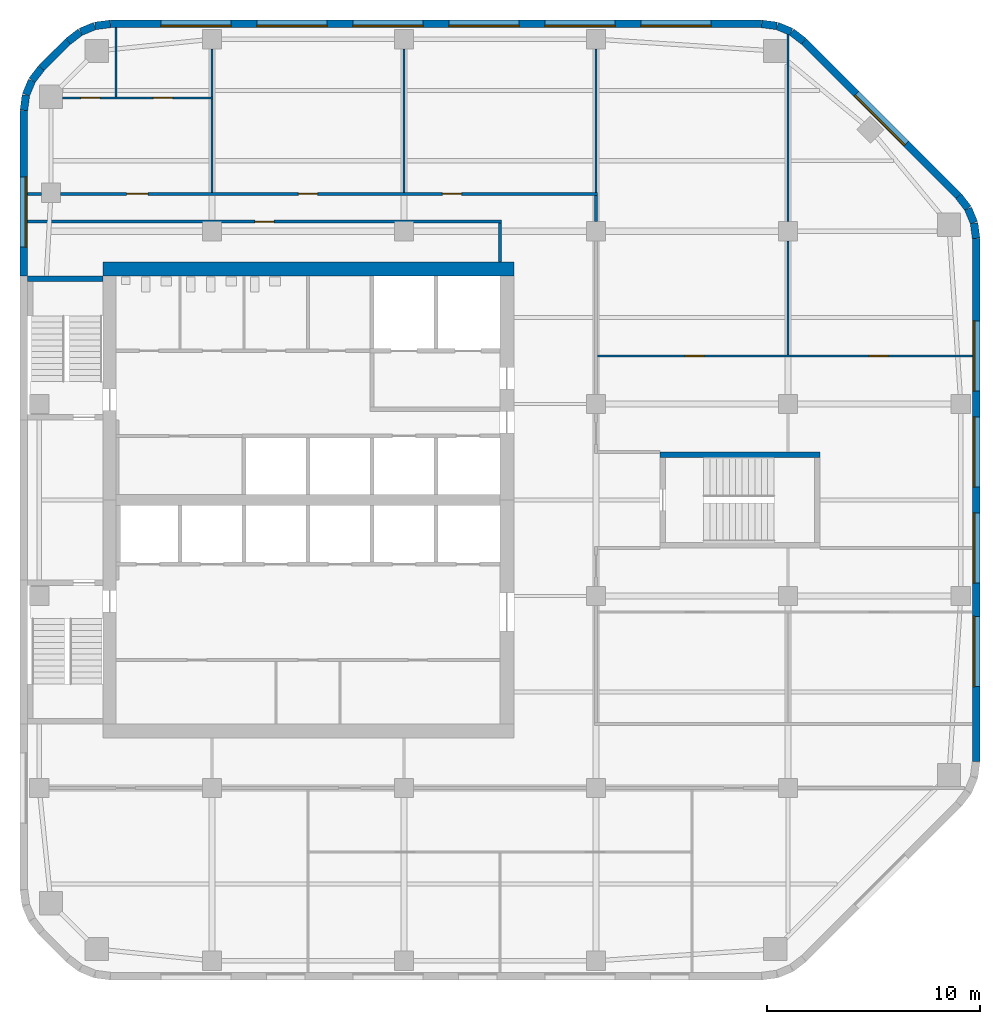
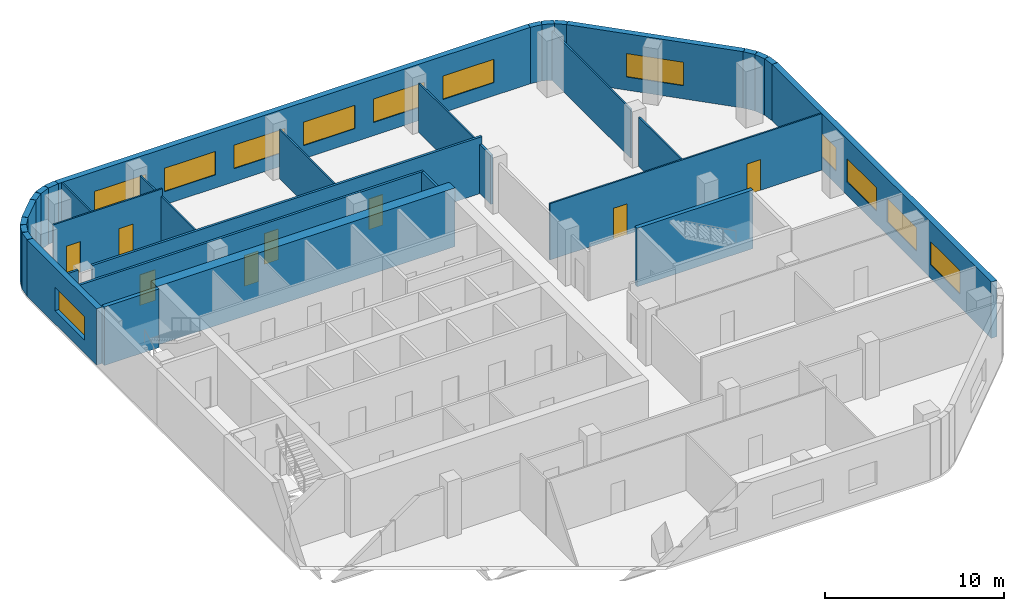
# One storey, part 5 of 8: 34 walls, 12 windows, 8 doors, 20 openings.
"""IFC4 building model written with IfcOpenShell, lengths in metres."""

import ifcopenshell
import ifcopenshell.guid

model = None  # the IFC model being written
_history = None  # IfcOwnerHistory: only IFC2X3 demands one
_inside = {}  # id of a spatial element -> (the spatial element, [elements in it])
_under = {}  # id of a project, library or spatial element -> (it, [spatial elements below it])
_declared = {}  # id of a project -> (the project, [libraries it declares])
_typed = {}  # id of a type object -> (the type object, [elements of that type])
_made_of = {}  # id of a material, layer set ... -> (it, [elements and type objects made of it])


def new_model(schema):
    """Start an empty IFC model of exactly this schema.

    Asked for "IFC4X3", IfcOpenShell would pick the latest addendum, in which some entities
    have other attributes; the version numbers below select the first issue.
    IFC2X3 requires an IfcOwnerHistory on every rooted entity: one is made here for all.
    """
    global model, _history
    if schema == "IFC4X3":
        model = ifcopenshell.file(schema_version=(4, 3, 0, 0))
    else:
        model = ifcopenshell.file(schema=schema)
    _inside.clear()
    _under.clear()
    _declared.clear()
    _typed.clear()
    _made_of.clear()
    _history = None
    if model.schema == "IFC2X3":
        org = make("IfcOrganization", Name="unknown")
        user = make(
            "IfcPersonAndOrganization",
            ThePerson=make("IfcPerson", FamilyName="unknown"),
            TheOrganization=org,
        )
        app = make(
            "IfcApplication",
            ApplicationDeveloper=org,
            Version="unknown",
            ApplicationFullName="unknown",
            ApplicationIdentifier="unknown",
        )
        _history = make(
            "IfcOwnerHistory",
            OwningUser=user,
            OwningApplication=app,
            ChangeAction="ADDED",
            CreationDate=0,
        )
    return model


def make(cls, **values):
    """One entity of the class cls with the attributes given. An attribute that is None is left unset."""
    return model.create_entity(
        cls, **{name: value for name, value in values.items() if value is not None}
    )


def rooted(cls, **values):
    """An entity with a GlobalId (a new one), such as an element, a storey or a relation."""
    return make(cls, GlobalId=ifcopenshell.guid.new(), OwnerHistory=_history, **values)


def si_unit(unit_type, name, prefix=None):
    """IfcSIUnit, for example si_unit("LENGTHUNIT", "METRE", prefix="MILLI")."""
    return make("IfcSIUnit", UnitType=unit_type, Prefix=prefix, Name=name)


def assignment(units):
    """IfcUnitAssignment: the units of a project."""
    return None if units is None else make("IfcUnitAssignment", Units=units)


def point(xyz):
    """IfcCartesianPoint."""
    return None if xyz is None else make("IfcCartesianPoint", Coordinates=xyz)


def direction(xyz):
    """IfcDirection."""
    return None if xyz is None else make("IfcDirection", DirectionRatios=xyz)


def frame(location, z_axis=None, x_axis=None):
    """IfcAxis2Placement3D, a coordinate frame: its origin and axes. An axis left out is left unset."""
    return make(
        "IfcAxis2Placement3D",
        Location=point(location),
        Axis=direction(z_axis),
        RefDirection=direction(x_axis),
    )


def frame_2d(location, x_axis=None):
    """IfcAxis2Placement2D, a coordinate frame in the plane: its origin and x axis."""
    return make(
        "IfcAxis2Placement2D", Location=point(location), RefDirection=direction(x_axis)
    )


def origin():
    """The frame at (0, 0, 0) with its axes left unset."""
    return frame((0.0, 0.0, 0.0))


def place(relative_to, where):
    """IfcLocalPlacement: puts the frame where relative to a parent placement (None: the world)."""
    return make(
        "IfcLocalPlacement", PlacementRelTo=relative_to, RelativePlacement=where
    )


def context(
    kind, dimensions, precision=None, world=None, true_north=None, identifier=None
):
    """IfcGeometricRepresentationContext, for example the 3D "Model" context."""
    return make(
        "IfcGeometricRepresentationContext",
        ContextIdentifier=identifier,
        ContextType=kind,
        CoordinateSpaceDimension=dimensions,
        Precision=precision,
        WorldCoordinateSystem=world,
        TrueNorth=true_north,
    )


def subcontext(parent, identifier, kind, view, scale=None):
    """IfcGeometricRepresentationSubContext, for example "Body" below "Model"."""
    return make(
        "IfcGeometricRepresentationSubContext",
        ContextIdentifier=identifier,
        ContextType=kind,
        ParentContext=parent,
        TargetScale=scale,
        TargetView=view,
    )


def project(units=None, contexts=None):
    """IfcProject with its units and contexts."""
    return rooted(
        "IfcProject",
        Name="project",
        RepresentationContexts=contexts,
        UnitsInContext=assignment(units),
    )


def spatial(cls, under=None, at=None, **own):
    """A site, building, storey or space (cls), placed at a placement, below another one or the project."""
    s = rooted(cls, ObjectPlacement=at, **own)
    if under is not None:
        _under.setdefault(under.id(), (under, []))[1].append(s)
    return s


def profile(cls, at=None, kind="AREA", **sizes):
    """A parametric profile (cls). Its sizes go by their IFC names, for example OverallWidth=200.0."""
    return make(cls, ProfileType=kind, Position=at, **sizes)


def rectangle(**sizes):
    """IfcRectangleProfileDef."""
    return profile("IfcRectangleProfileDef", **sizes)


def extrude(swept, where, along, depth):
    """IfcExtrudedAreaSolid: the profile swept, set in the frame where, extruded along a direction by depth."""
    return make(
        "IfcExtrudedAreaSolid",
        SweptArea=swept,
        Position=where,
        ExtrudedDirection=direction(along),
        Depth=depth,
    )


def shape(context_of_items, identifier, shape_type, items):
    """IfcShapeRepresentation: the items that make up one representation, for example the "Body"."""
    return make(
        "IfcShapeRepresentation",
        ContextOfItems=context_of_items,
        RepresentationIdentifier=identifier,
        RepresentationType=shape_type,
        Items=items,
    )


def material(Name=None, Category=None):
    """IfcMaterial."""
    return make("IfcMaterial", Name=Name, Category=Category)


def layer(
    of_material, thickness, ventilated=None, Name=None, Category=None, Priority=None
):
    """IfcMaterialLayer: one layer of a wall or slab, of a material (None: an air gap)."""
    return make(
        "IfcMaterialLayer",
        Material=of_material,
        LayerThickness=thickness,
        IsVentilated=ventilated,
        Name=Name,
        Category=Category,
        Priority=Priority,
    )


def layer_set(layers, Name=None):
    """IfcMaterialLayerSet."""
    return make("IfcMaterialLayerSet", MaterialLayers=layers, LayerSetName=Name)


def made_of(thing, what):
    """Note that an element or type object is made of a material, layer set ...; save() writes the relation."""
    if what is not None:
        _made_of.setdefault(what.id(), (what, []))[1].append(thing)
    return thing


def type_object(cls, material=None, **own):
    """A type object (cls), such as IfcWallType, which elements share."""
    return made_of(rooted(cls, **own), material)


def element(
    cls,
    number,
    at=None,
    inside=None,
    cuts=None,
    type_object=None,
    material=None,
    context=None,
    identifier="Body",
    shape_type=None,
    held_by="IfcProductDefinitionShape",
    body=None,
    shapes=None,
    **own,
):
    """One element of the class cls, such as IfcWall. Its Tag is "e" and its number.

    at: its placement. inside: the storey or other place that contains it. cuts: it is an
    opening in that element (IfcRelVoidsElement). A single representation is given by context,
    identifier, shape_type and body (its items); several are given by shapes. held_by: the class
    of the entity that holds the representations. save() writes the other relations.
    """
    e = rooted(cls, Tag="e%d" % number, ObjectPlacement=at, **own)
    if body is not None:
        shapes = [shape(context, identifier, shape_type, body)]
    if shapes is not None:
        e.Representation = make(held_by, Representations=shapes)
    if inside is not None:
        _inside.setdefault(inside.id(), (inside, []))[1].append(e)
    if cuts is not None:
        rooted(
            "IfcRelVoidsElement", RelatingBuildingElement=cuts, RelatedOpeningElement=e
        )
    if type_object is not None:
        _typed.setdefault(type_object.id(), (type_object, []))[1].append(e)
    return made_of(e, material)


def fill(opening, filler):
    """IfcRelFillsElement: the door or window that sits in an opening."""
    return rooted(
        "IfcRelFillsElement",
        RelatingOpeningElement=opening,
        RelatedBuildingElement=filler,
    )


def aggregate(whole, parts):
    """IfcRelAggregates: a whole, such as a stair, and the parts it consists of."""
    return rooted("IfcRelAggregates", RelatingObject=whole, RelatedObjects=parts)


def save(model, path):
    """Write the relations noted so far, then the file.

    IfcRelAggregates (storeys below a building ...), IfcRelContainedInSpatialStructure (elements
    in a storey), IfcRelDefinesByType, IfcRelAssociatesMaterial and IfcRelDeclares: one each for
    every whole, place, type object, material and project.
    """
    for whole, parts in _under.values():
        aggregate(whole, parts)
    for where, things in _inside.values():
        rooted(
            "IfcRelContainedInSpatialStructure",
            RelatedElements=things,
            RelatingStructure=where,
        )
    for kind, things in _typed.values():
        rooted("IfcRelDefinesByType", RelatedObjects=things, RelatingType=kind)
    for what, things in _made_of.values():
        rooted("IfcRelAssociatesMaterial", RelatedObjects=things, RelatingMaterial=what)
    for by, libraries in _declared.values():
        rooted("IfcRelDeclares", RelatingContext=by, RelatedDefinitions=libraries)
    model.write(path)


model = new_model("IFC4")

# Units and contexts
model_context = context("Model", 3, precision=1e-05, world=origin(), true_north=direction((0.0, 1.0)))
body_context = subcontext(model_context, "Body", "Model", "MODEL_VIEW")
ifc_project = project(units=[si_unit("LENGTHUNIT", "METRE"), si_unit("AREAUNIT", "SQUARE_METRE"), si_unit("VOLUMEUNIT", "CUBIC_METRE"), si_unit("PLANEANGLEUNIT", "RADIAN"), si_unit("MASSUNIT", "GRAM", prefix="KILO")], contexts=[model_context])

# Site, building, storey
site_placement = place(None, origin())
site = spatial("IfcSite", under=ifc_project, at=site_placement, CompositionType="ELEMENT")
building_placement = place(site_placement, origin())
building = spatial("IfcBuilding", under=site, at=building_placement, Name="Cinnabar Reach Civic Tower", CompositionType="ELEMENT")
storey_placement = place(building_placement, frame((0.0, 0.0, 165.0)))
storey = spatial("IfcBuildingStorey", under=building, at=storey_placement, Name="L39", CompositionType="ELEMENT", Elevation=165.0)

# Walls
ifc_material_1 = material(Name="Facing brick with insulated backing", Category="masonry")
ifc_layer_1 = layer(ifc_material_1, 0.36)
ifc_layer_set_1 = layer_set([ifc_layer_1], Name="Brick corner wall")
wall_type_1 = type_object("IfcWallType", Name="Brick corner wall", PredefinedType="STANDARD", material=ifc_layer_set_1)
for number, where, z_axis, x_axis, name in (
    (1, (44.817, 43.7686, 0.0), (0.0, 0.0, 1.0), (-0.13055608231, 0.99144092581, 0.0), "Brick corner wall"),
    (2, (44.7181, 44.4973, 0.0), (0.0, 0.0, 1.0), (-0.382702709855, 0.923871547278, 0.0), "Brick corner wall"),
):
    element("IfcWall", number, at=place(storey_placement, frame(where, z_axis=z_axis, x_axis=x_axis)), inside=storey, type_object=wall_type_1, Name=name, PredefinedType="STANDARD", context=body_context, shape_type="SweptSolid", body=[
        extrude(rectangle(XDim=0.7131, YDim=0.36, at=frame_2d((0.3565, 0.0))), origin(), (0.0, 0.0, 1.0), 3.85),
    ])
for number, where, z_axis, x_axis, name in (
    (3, (44.434, 45.1755, 0.0), (0.0, 0.0, 1.0), (-0.608802368033, 0.793321924995, 0.0), "Brick corner wall"),
    (4, (36.7413, 52.9998, 0.0), (0.0, 0.0, 1.0), (-0.793321924995, 0.608802368033, 0.0), "Brick corner wall"),
):
    element("IfcWall", number, at=place(storey_placement, frame(where, z_axis=z_axis, x_axis=x_axis)), inside=storey, type_object=wall_type_1, Name=name, PredefinedType="STANDARD", context=body_context, shape_type="SweptSolid", body=[
        extrude(rectangle(XDim=0.7132, YDim=0.36, at=frame_2d((0.3566, 0.0))), origin(), (0.0, 0.0, 1.0), 3.85),
    ])
for number, where, z_axis, x_axis, name in (
    (5, (36.1561, 53.4452, 0.0), (0.0, 0.0, 1.0), (-0.923871547278, 0.382702709855, 0.0), "Brick corner wall"),
    (6, (35.4756, 53.7239, 0.0), (0.0, 0.0, 1.0), (-0.99144092581, 0.13055608231, 0.0), "Brick corner wall"),
    (7, (4.2314, 53.817, 0.0), (0.0, 0.0, 1.0), (-0.99144092581, -0.13055608231, 0.0), "Brick corner wall"),
    (8, (3.5027, 53.7181, 0.0), (0.0, 0.0, 1.0), (-0.923871547278, -0.382702709855, 0.0), "Brick corner wall"),
):
    element("IfcWall", number, at=place(storey_placement, frame(where, z_axis=z_axis, x_axis=x_axis)), inside=storey, type_object=wall_type_1, Name=name, PredefinedType="STANDARD", context=body_context, shape_type="SweptSolid", body=[
        extrude(rectangle(XDim=0.7131, YDim=0.36, at=frame_2d((0.3565, 0.0))), origin(), (0.0, 0.0, 1.0), 3.85),
    ])
for number, where, z_axis, x_axis, name in (
    (9, (2.8245, 53.434, 0.0), (0.0, 0.0, 1.0), (-0.793321924995, -0.608802368033, 0.0), "Brick corner wall"),
    (10, (1.0002, 51.7413, 0.0), (0.0, 0.0, 1.0), (-0.608802368033, -0.793321924995, 0.0), "Brick corner wall"),
):
    element("IfcWall", number, at=place(storey_placement, frame(where, z_axis=z_axis, x_axis=x_axis)), inside=storey, type_object=wall_type_1, Name=name, PredefinedType="STANDARD", context=body_context, shape_type="SweptSolid", body=[
        extrude(rectangle(XDim=0.7132, YDim=0.36, at=frame_2d((0.3566, 0.0))), origin(), (0.0, 0.0, 1.0), 3.85),
    ])
for number, where, z_axis, x_axis, name in (
    (11, (0.5548, 51.1561, 0.0), (0.0, 0.0, 1.0), (-0.382702709855, -0.923871547278, 0.0), "Brick corner wall"),
    (12, (0.2761, 50.4756, 0.0), (0.0, 0.0, 1.0), (-0.13055608231, -0.99144092581, 0.0), "Brick corner wall"),
):
    element("IfcWall", number, at=place(storey_placement, frame(where, z_axis=z_axis, x_axis=x_axis)), inside=storey, type_object=wall_type_1, Name=name, PredefinedType="STANDARD", context=body_context, shape_type="SweptSolid", body=[
        extrude(rectangle(XDim=0.7131, YDim=0.36, at=frame_2d((0.3565, 0.0))), origin(), (0.0, 0.0, 1.0), 3.85),
    ])

# Wall, openings, windows
ifc_layer_2 = layer(ifc_material_1, 0.36)
ifc_layer_set_2 = layer_set([ifc_layer_2], Name="Brick pier and spandrel wall")
wall_type_2 = type_object("IfcWallType", Name="Brick pier and spandrel wall", PredefinedType="STANDARD", material=ifc_layer_set_2)
wall_1_placement = place(storey_placement, frame((44.82, 19.2426, 0.0), z_axis=(0.0, 0.0, 1.0), x_axis=(0.0, 1.0, 0.0)))
wall_1 = element("IfcWall", 13, at=wall_1_placement, inside=storey, type_object=wall_type_2, Name="Brick facade wall", PredefinedType="STANDARD", context=body_context, shape_type="SweptSolid", body=[
    extrude(rectangle(XDim=24.5148, YDim=0.36, at=frame_2d((12.2574, 0.0))), origin(), (0.0, 0.0, 1.0), 3.85),
])
opening_1_placement = place(wall_1_placement, frame((3.5074, 0.0, 0.9)))
opening_1 = element("IfcOpeningElement", 14, at=opening_1_placement, cuts=wall_1, Name="Opening W1808", PredefinedType="OPENING", context=body_context, shape_type="SweptSolid", body=[
    extrude(rectangle(XDim=3.3, YDim=1.6, at=frame_2d((1.65, 0.8))), frame((0.0, 0.19, 0.0), z_axis=(0.0, -1.0, 0.0), x_axis=(1.0, 0.0, 0.0)), (0.0, 0.0, 1.0), 0.38),
])
opening_2_placement = place(wall_1_placement, frame((8.3574, 0.0, 0.9)))
opening_2 = element("IfcOpeningElement", 15, at=opening_2_placement, cuts=wall_1, Name="Opening W1809", PredefinedType="OPENING", context=body_context, shape_type="SweptSolid", body=[
    extrude(rectangle(XDim=3.3, YDim=1.6, at=frame_2d((1.65, 0.8))), frame((0.0, 0.19, 0.0), z_axis=(0.0, -1.0, 0.0), x_axis=(1.0, 0.0, 0.0)), (0.0, 0.0, 1.0), 0.38),
])
opening_3_placement = place(wall_1_placement, frame((12.8574, 0.0, 0.9)))
opening_3 = element("IfcOpeningElement", 16, at=opening_3_placement, cuts=wall_1, Name="Opening W1810", PredefinedType="OPENING", context=body_context, shape_type="SweptSolid", body=[
    extrude(rectangle(XDim=3.3, YDim=1.6, at=frame_2d((1.65, 0.8))), frame((0.0, 0.19, 0.0), z_axis=(0.0, -1.0, 0.0), x_axis=(1.0, 0.0, 0.0)), (0.0, 0.0, 1.0), 0.38),
])
opening_4_placement = place(wall_1_placement, frame((17.3574, 0.0, 0.9)))
opening_4 = element("IfcOpeningElement", 17, at=opening_4_placement, cuts=wall_1, Name="Opening W1811", PredefinedType="OPENING", context=body_context, shape_type="SweptSolid", body=[
    extrude(rectangle(XDim=3.3, YDim=1.6, at=frame_2d((1.65, 0.8))), frame((0.0, 0.19, 0.0), z_axis=(0.0, -1.0, 0.0), x_axis=(1.0, 0.0, 0.0)), (0.0, 0.0, 1.0), 0.38),
])
ifc_material_2 = material(Name="Clear double glazing in aluminium frame", Category="aluminium")
window_type = type_object("IfcWindowType", Name="Deep-set window A", PartitioningType="SINGLE_PANEL", PredefinedType="WINDOW", material=ifc_material_2)
window_1_placement = place(opening_1_placement, origin())
window_1 = element("IfcWindow", 18, at=window_1_placement, inside=storey, type_object=window_type, Name="Window east face", OverallHeight=1.6, OverallWidth=3.3, PartitioningType="SINGLE_PANEL", PredefinedType="WINDOW", context=body_context, shape_type="SweptSolid", body=[
    extrude(rectangle(XDim=3.3, YDim=1.6, at=frame_2d((1.65, 0.8))), frame((0.0, 0.13, 0.0), z_axis=(0.0, -1.0, 0.0), x_axis=(1.0, 0.0, 0.0)), (0.0, 0.0, 1.0), 0.06),
])
fill(opening_1, window_1)
window_2_placement = place(opening_2_placement, origin())
window_2 = element("IfcWindow", 19, at=window_2_placement, inside=storey, type_object=window_type, Name="Window east face", OverallHeight=1.6, OverallWidth=3.3, PartitioningType="SINGLE_PANEL", PredefinedType="WINDOW", context=body_context, shape_type="SweptSolid", body=[
    extrude(rectangle(XDim=3.3, YDim=1.6, at=frame_2d((1.65, 0.8))), frame((0.0, 0.13, 0.0), z_axis=(0.0, -1.0, 0.0), x_axis=(1.0, 0.0, 0.0)), (0.0, 0.0, 1.0), 0.06),
])
fill(opening_2, window_2)
window_3_placement = place(opening_3_placement, origin())
window_3 = element("IfcWindow", 20, at=window_3_placement, inside=storey, type_object=window_type, Name="Window east face", OverallHeight=1.6, OverallWidth=3.3, PartitioningType="SINGLE_PANEL", PredefinedType="WINDOW", context=body_context, shape_type="SweptSolid", body=[
    extrude(rectangle(XDim=3.3, YDim=1.6, at=frame_2d((1.65, 0.8))), frame((0.0, 0.13, 0.0), z_axis=(0.0, -1.0, 0.0), x_axis=(1.0, 0.0, 0.0)), (0.0, 0.0, 1.0), 0.06),
])
fill(opening_3, window_3)
window_4_placement = place(opening_4_placement, origin())
window_4 = element("IfcWindow", 21, at=window_4_placement, inside=storey, type_object=window_type, Name="Window east face", OverallHeight=1.6, OverallWidth=3.3, PartitioningType="SINGLE_PANEL", PredefinedType="WINDOW", context=body_context, shape_type="SweptSolid", body=[
    extrude(rectangle(XDim=3.3, YDim=1.6, at=frame_2d((1.65, 0.8))), frame((0.0, 0.13, 0.0), z_axis=(0.0, -1.0, 0.0), x_axis=(1.0, 0.0, 0.0)), (0.0, 0.0, 1.0), 0.06),
])
fill(opening_4, window_4)

# Wall, opening, window
wall_2_placement = place(storey_placement, frame((43.994, 45.7514, 0.0), z_axis=(0.0, 0.0, 1.0), x_axis=(-0.707106781187, 0.707106781187, 0.0)))
wall_2 = element("IfcWall", 22, at=wall_2_placement, inside=storey, type_object=wall_type_2, Name="Brick facade wall", PredefinedType="STANDARD", context=body_context, shape_type="SweptSolid", body=[
    extrude(rectangle(XDim=10.2426, YDim=0.36, at=frame_2d((5.1213, 0.0))), origin(), (0.0, 0.0, 1.0), 3.85),
])
opening_5_placement = place(wall_2_placement, frame((3.4713, 0.0, 0.9)))
opening_5 = element("IfcOpeningElement", 23, at=opening_5_placement, cuts=wall_2, Name="Opening W1812", PredefinedType="OPENING", context=body_context, shape_type="SweptSolid", body=[
    extrude(rectangle(XDim=3.3, YDim=1.6, at=frame_2d((1.65, 0.8))), frame((0.0, 0.19, 0.0), z_axis=(0.0, -1.0, 0.0), x_axis=(1.0, 0.0, 0.0)), (0.0, 0.0, 1.0), 0.38),
])
window_5_placement = place(opening_5_placement, origin())
window_5 = element("IfcWindow", 24, at=window_5_placement, inside=storey, type_object=window_type, Name="Window northeast face", OverallHeight=1.6, OverallWidth=3.3, PartitioningType="SINGLE_PANEL", PredefinedType="WINDOW", context=body_context, shape_type="SweptSolid", body=[
    extrude(rectangle(XDim=3.3, YDim=1.6, at=frame_2d((1.65, 0.8))), frame((0.0, 0.13, 0.0), z_axis=(0.0, -1.0, 0.0), x_axis=(1.0, 0.0, 0.0)), (0.0, 0.0, 1.0), 0.06),
])
fill(opening_5, window_5)

# Wall, openings, windows
wall_3_placement = place(storey_placement, frame((34.7574, 53.82, 0.0), z_axis=(0.0, 0.0, 1.0), x_axis=(-1.0, 0.0, 0.0)))
wall_3 = element("IfcWall", 25, at=wall_3_placement, inside=storey, type_object=wall_type_2, Name="Brick facade wall", PredefinedType="STANDARD", context=body_context, shape_type="SweptSolid", body=[
    extrude(rectangle(XDim=30.5148, YDim=0.36, at=frame_2d((15.2574, 0.0))), origin(), (0.0, 0.0, 1.0), 3.85),
])
opening_6_placement = place(wall_3_placement, frame((2.3574, 0.0, 0.9)))
opening_6 = element("IfcOpeningElement", 26, at=opening_6_placement, cuts=wall_3, Name="Opening W1813", PredefinedType="OPENING", context=body_context, shape_type="SweptSolid", body=[
    extrude(rectangle(XDim=3.3, YDim=1.6, at=frame_2d((1.65, 0.8))), frame((0.0, 0.19, 0.0), z_axis=(0.0, -1.0, 0.0), x_axis=(1.0, 0.0, 0.0)), (0.0, 0.0, 1.0), 0.38),
])
opening_7_placement = place(wall_3_placement, frame((6.8574, 0.0, 0.9)))
opening_7 = element("IfcOpeningElement", 27, at=opening_7_placement, cuts=wall_3, Name="Opening W1814", PredefinedType="OPENING", context=body_context, shape_type="SweptSolid", body=[
    extrude(rectangle(XDim=3.3, YDim=1.6, at=frame_2d((1.65, 0.8))), frame((0.0, 0.19, 0.0), z_axis=(0.0, -1.0, 0.0), x_axis=(1.0, 0.0, 0.0)), (0.0, 0.0, 1.0), 0.38),
])
opening_8_placement = place(wall_3_placement, frame((11.3574, 0.0, 0.9)))
opening_8 = element("IfcOpeningElement", 28, at=opening_8_placement, cuts=wall_3, Name="Opening W1815", PredefinedType="OPENING", context=body_context, shape_type="SweptSolid", body=[
    extrude(rectangle(XDim=3.3, YDim=1.6, at=frame_2d((1.65, 0.8))), frame((0.0, 0.19, 0.0), z_axis=(0.0, -1.0, 0.0), x_axis=(1.0, 0.0, 0.0)), (0.0, 0.0, 1.0), 0.38),
])
opening_9_placement = place(wall_3_placement, frame((15.8574, 0.0, 0.9)))
opening_9 = element("IfcOpeningElement", 29, at=opening_9_placement, cuts=wall_3, Name="Opening W1816", PredefinedType="OPENING", context=body_context, shape_type="SweptSolid", body=[
    extrude(rectangle(XDim=3.3, YDim=1.6, at=frame_2d((1.65, 0.8))), frame((0.0, 0.19, 0.0), z_axis=(0.0, -1.0, 0.0), x_axis=(1.0, 0.0, 0.0)), (0.0, 0.0, 1.0), 0.38),
])
opening_10_placement = place(wall_3_placement, frame((20.3574, 0.0, 0.9)))
opening_10 = element("IfcOpeningElement", 30, at=opening_10_placement, cuts=wall_3, Name="Opening W1817", PredefinedType="OPENING", context=body_context, shape_type="SweptSolid", body=[
    extrude(rectangle(XDim=3.3, YDim=1.6, at=frame_2d((1.65, 0.8))), frame((0.0, 0.19, 0.0), z_axis=(0.0, -1.0, 0.0), x_axis=(1.0, 0.0, 0.0)), (0.0, 0.0, 1.0), 0.38),
])
opening_11_placement = place(wall_3_placement, frame((24.8574, 0.0, 0.9)))
opening_11 = element("IfcOpeningElement", 31, at=opening_11_placement, cuts=wall_3, Name="Opening W1818", PredefinedType="OPENING", context=body_context, shape_type="SweptSolid", body=[
    extrude(rectangle(XDim=3.3, YDim=1.6, at=frame_2d((1.65, 0.8))), frame((0.0, 0.19, 0.0), z_axis=(0.0, -1.0, 0.0), x_axis=(1.0, 0.0, 0.0)), (0.0, 0.0, 1.0), 0.38),
])
window_6_placement = place(opening_6_placement, origin())
window_6 = element("IfcWindow", 32, at=window_6_placement, inside=storey, type_object=window_type, Name="Window north face", OverallHeight=1.6, OverallWidth=3.3, PartitioningType="SINGLE_PANEL", PredefinedType="WINDOW", context=body_context, shape_type="SweptSolid", body=[
    extrude(rectangle(XDim=3.3, YDim=1.6, at=frame_2d((1.65, 0.8))), frame((0.0, 0.13, 0.0), z_axis=(0.0, -1.0, 0.0), x_axis=(1.0, 0.0, 0.0)), (0.0, 0.0, 1.0), 0.06),
])
fill(opening_6, window_6)
window_7_placement = place(opening_7_placement, origin())
window_7 = element("IfcWindow", 33, at=window_7_placement, inside=storey, type_object=window_type, Name="Window north face", OverallHeight=1.6, OverallWidth=3.3, PartitioningType="SINGLE_PANEL", PredefinedType="WINDOW", context=body_context, shape_type="SweptSolid", body=[
    extrude(rectangle(XDim=3.3, YDim=1.6, at=frame_2d((1.65, 0.8))), frame((0.0, 0.13, 0.0), z_axis=(0.0, -1.0, 0.0), x_axis=(1.0, 0.0, 0.0)), (0.0, 0.0, 1.0), 0.06),
])
fill(opening_7, window_7)
window_8_placement = place(opening_8_placement, origin())
window_8 = element("IfcWindow", 34, at=window_8_placement, inside=storey, type_object=window_type, Name="Window north face", OverallHeight=1.6, OverallWidth=3.3, PartitioningType="SINGLE_PANEL", PredefinedType="WINDOW", context=body_context, shape_type="SweptSolid", body=[
    extrude(rectangle(XDim=3.3, YDim=1.6, at=frame_2d((1.65, 0.8))), frame((0.0, 0.13, 0.0), z_axis=(0.0, -1.0, 0.0), x_axis=(1.0, 0.0, 0.0)), (0.0, 0.0, 1.0), 0.06),
])
fill(opening_8, window_8)
window_9_placement = place(opening_9_placement, origin())
window_9 = element("IfcWindow", 35, at=window_9_placement, inside=storey, type_object=window_type, Name="Window north face", OverallHeight=1.6, OverallWidth=3.3, PartitioningType="SINGLE_PANEL", PredefinedType="WINDOW", context=body_context, shape_type="SweptSolid", body=[
    extrude(rectangle(XDim=3.3, YDim=1.6, at=frame_2d((1.65, 0.8))), frame((0.0, 0.13, 0.0), z_axis=(0.0, -1.0, 0.0), x_axis=(1.0, 0.0, 0.0)), (0.0, 0.0, 1.0), 0.06),
])
fill(opening_9, window_9)
window_10_placement = place(opening_10_placement, origin())
window_10 = element("IfcWindow", 36, at=window_10_placement, inside=storey, type_object=window_type, Name="Window north face", OverallHeight=1.6, OverallWidth=3.3, PartitioningType="SINGLE_PANEL", PredefinedType="WINDOW", context=body_context, shape_type="SweptSolid", body=[
    extrude(rectangle(XDim=3.3, YDim=1.6, at=frame_2d((1.65, 0.8))), frame((0.0, 0.13, 0.0), z_axis=(0.0, -1.0, 0.0), x_axis=(1.0, 0.0, 0.0)), (0.0, 0.0, 1.0), 0.06),
])
fill(opening_10, window_10)
window_11_placement = place(opening_11_placement, origin())
window_11 = element("IfcWindow", 37, at=window_11_placement, inside=storey, type_object=window_type, Name="Window north face", OverallHeight=1.6, OverallWidth=3.3, PartitioningType="SINGLE_PANEL", PredefinedType="WINDOW", context=body_context, shape_type="SweptSolid", body=[
    extrude(rectangle(XDim=3.3, YDim=1.6, at=frame_2d((1.65, 0.8))), frame((0.0, 0.13, 0.0), z_axis=(0.0, -1.0, 0.0), x_axis=(1.0, 0.0, 0.0)), (0.0, 0.0, 1.0), 0.06),
])
fill(opening_11, window_11)

# Wall
wall_4_placement = place(storey_placement, frame((2.2486, 52.994, 0.0), z_axis=(0.0, 0.0, 1.0), x_axis=(-0.707106781187, -0.707106781187, 0.0)))
element("IfcWall", 38, at=wall_4_placement, inside=storey, type_object=wall_type_2, Name="Brick facade wall", PredefinedType="STANDARD", context=body_context, shape_type="SweptSolid", body=[
    extrude(rectangle(XDim=1.7573, YDim=0.36, at=frame_2d((0.8787, 0.0))), origin(), (0.0, 0.0, 1.0), 3.85),
])

# Wall, opening, window
wall_5_placement = place(storey_placement, frame((0.18, 49.7574, 0.0), z_axis=(0.0, 0.0, 1.0), x_axis=(0.0, -1.0, 0.0)))
wall_5 = element("IfcWall", 39, at=wall_5_placement, inside=storey, type_object=wall_type_2, Name="Brick facade wall", PredefinedType="STANDARD", context=body_context, shape_type="SweptSolid", body=[
    extrude(rectangle(XDim=7.7574, YDim=0.36, at=frame_2d((3.8787, 0.0))), origin(), (0.0, 0.0, 1.0), 3.85),
])
opening_12_placement = place(wall_5_placement, frame((3.1074, 0.0, 0.9)))
opening_12 = element("IfcOpeningElement", 40, at=opening_12_placement, cuts=wall_5, Name="Opening W1819", PredefinedType="OPENING", context=body_context, shape_type="SweptSolid", body=[
    extrude(rectangle(XDim=3.3, YDim=1.6, at=frame_2d((1.65, 0.8))), frame((0.0, 0.19, 0.0), z_axis=(0.0, -1.0, 0.0), x_axis=(1.0, 0.0, 0.0)), (0.0, 0.0, 1.0), 0.38),
])
window_12_placement = place(opening_12_placement, origin())
window_12 = element("IfcWindow", 41, at=window_12_placement, inside=storey, type_object=window_type, Name="Window west face", OverallHeight=1.6, OverallWidth=3.3, PartitioningType="SINGLE_PANEL", PredefinedType="WINDOW", context=body_context, shape_type="SweptSolid", body=[
    extrude(rectangle(XDim=3.3, YDim=1.6, at=frame_2d((1.65, 0.8))), frame((0.0, 0.13, 0.0), z_axis=(0.0, -1.0, 0.0), x_axis=(1.0, 0.0, 0.0)), (0.0, 0.0, 1.0), 0.06),
])
fill(opening_12, window_12)

# Wall
ifc_material_3 = material(Name="Concrete C70", Category="concrete")
ifc_layer_3 = layer(ifc_material_3, 0.65)
ifc_layer_set_3 = layer_set([ifc_layer_3], Name="Core wall 650 EI 180")
wall_type_3 = type_object("IfcWallType", Name="Core wall 650 EI 180", PredefinedType="SOLIDWALL", material=ifc_layer_set_3)
wall_6_placement = place(storey_placement, frame((23.15, 42.325, 0.0), z_axis=(0.0, 0.0, 1.0), x_axis=(-1.0, 0.0, 0.0)))
element("IfcWall", 42, at=wall_6_placement, inside=storey, type_object=wall_type_3, Name="Core wall T1 L39 N", PredefinedType="SOLIDWALL", context=body_context, shape_type="SweptSolid", body=[
    extrude(rectangle(XDim=19.25, YDim=0.65, at=frame_2d((9.625, 0.0))), origin(), (0.0, 0.0, 1.0), 4.0),
])

# Wall, openings, doors
ifc_material_4 = material(Name="Gypsum board on steel studs, double layer", Category="steel")
ifc_layer_4 = layer(ifc_material_4, 0.15)
ifc_layer_set_4 = layer_set([ifc_layer_4], Name="Corridor wall 150 T1")
wall_type_4 = type_object("IfcWallType", Name="Corridor wall 150 T1", PredefinedType="PARTITIONING", material=ifc_layer_set_4)
wall_7_placement = place(storey_placement, frame((1.9031, 45.85, 0.0), z_axis=(0.0, 0.0, 1.0), x_axis=(1.0, 0.0, 0.0)))
wall_7 = element("IfcWall", 43, at=wall_7_placement, inside=storey, type_object=wall_type_4, Name="Corridor wall 23", PredefinedType="PARTITIONING", context=body_context, shape_type="SweptSolid", body=[
    extrude(rectangle(XDim=25.1719, YDim=0.15, at=frame_2d((12.586, 0.0))), origin(), (0.0, 0.0, 1.0), 3.85),
])
opening_13_placement = place(wall_7_placement, frame((3.1, 0.0, 0.0)))
opening_13 = element("IfcOpeningElement", 44, at=opening_13_placement, cuts=wall_7, Name="Opening D4621", PredefinedType="OPENING", context=body_context, shape_type="SweptSolid", body=[
    extrude(rectangle(XDim=1.0, YDim=2.1, at=frame_2d((0.5, 1.05))), frame((0.0, 0.085, 0.0), z_axis=(0.0, -1.0, 0.0), x_axis=(1.0, 0.0, 0.0)), (0.0, 0.0, 1.0), 0.17),
])
opening_14_placement = place(wall_7_placement, frame((11.1469, 0.0, 0.0)))
opening_14 = element("IfcOpeningElement", 45, at=opening_14_placement, cuts=wall_7, Name="Opening D4624", PredefinedType="OPENING", context=body_context, shape_type="SweptSolid", body=[
    extrude(rectangle(XDim=0.9, YDim=2.1, at=frame_2d((0.45, 1.05))), frame((0.0, 0.085, 0.0), z_axis=(0.0, -1.0, 0.0), x_axis=(1.0, 0.0, 0.0)), (0.0, 0.0, 1.0), 0.17),
])
opening_15_placement = place(wall_7_placement, frame((17.8969, 0.0, 0.0)))
opening_15 = element("IfcOpeningElement", 46, at=opening_15_placement, cuts=wall_7, Name="Opening D4625", PredefinedType="OPENING", context=body_context, shape_type="SweptSolid", body=[
    extrude(rectangle(XDim=0.9, YDim=2.1, at=frame_2d((0.45, 1.05))), frame((0.0, 0.085, 0.0), z_axis=(0.0, -1.0, 0.0), x_axis=(1.0, 0.0, 0.0)), (0.0, 0.0, 1.0), 0.17),
])
ifc_material_5 = material(Name="Timber door leaf in steel frame", Category="steel")
door_type_1 = type_object("IfcDoorType", Name="Single swing door 900 x 2100 corridor T1", OperationType="SINGLE_SWING_LEFT", PredefinedType="DOOR", material=ifc_material_5)
door_1_placement = place(opening_14_placement, origin())
door_1 = element("IfcDoor", 47, at=door_1_placement, inside=storey, type_object=door_type_1, Name="Door D4624", OperationType="SINGLE_SWING_LEFT", OverallHeight=2.1, OverallWidth=0.9, PredefinedType="DOOR", context=body_context, shape_type="SweptSolid", body=[
    extrude(rectangle(XDim=0.9, YDim=2.1, at=frame_2d((0.45, 1.05))), frame((0.0, 0.025, 0.0), z_axis=(0.0, -1.0, 0.0), x_axis=(1.0, 0.0, 0.0)), (0.0, 0.0, 1.0), 0.05),
])
fill(opening_14, door_1)
door_2_placement = place(opening_15_placement, origin())
door_2 = element("IfcDoor", 48, at=door_2_placement, inside=storey, type_object=door_type_1, Name="Door D4625", OperationType="SINGLE_SWING_RIGHT", OverallHeight=2.1, OverallWidth=0.9, PredefinedType="DOOR", context=body_context, shape_type="SweptSolid", body=[
    extrude(rectangle(XDim=0.9, YDim=2.1, at=frame_2d((0.45, 1.05))), frame((0.0, 0.025, 0.0), z_axis=(0.0, -1.0, 0.0), x_axis=(1.0, 0.0, 0.0)), (0.0, 0.0, 1.0), 0.05),
])
fill(opening_15, door_2)
door_type_2 = type_object("IfcDoorType", Name="Tenancy entrance door 1000 x 2100 T1", OperationType="SINGLE_SWING_LEFT", PredefinedType="DOOR", material=ifc_material_5)
door_3_placement = place(opening_13_placement, origin())
door_3 = element("IfcDoor", 49, at=door_3_placement, inside=storey, type_object=door_type_2, Name="Door D4621", OperationType="SINGLE_SWING_LEFT", OverallHeight=2.1, OverallWidth=1.0, PredefinedType="DOOR", context=body_context, shape_type="SweptSolid", body=[
    extrude(rectangle(XDim=1.0, YDim=2.1, at=frame_2d((0.5, 1.05))), frame((0.0, 0.025, 0.0), z_axis=(0.0, -1.0, 0.0), x_axis=(1.0, 0.0, 0.0)), (0.0, 0.0, 1.0), 0.05),
])
fill(opening_13, door_3)

# Wall
wall_8_placement = place(storey_placement, frame((0.36, 45.85, 0.0), z_axis=(0.0, 0.0, 1.0), x_axis=(1.0, 0.0, 0.0)))
element("IfcWall", 50, at=wall_8_placement, inside=storey, type_object=wall_type_4, Name="Corridor wall 24", PredefinedType="PARTITIONING", context=body_context, shape_type="SweptSolid", body=[
    extrude(rectangle(XDim=0.6431, YDim=0.15, at=frame_2d((0.3216, 0.0))), origin(), (0.0, 0.0, 1.0), 3.85),
])

# Wall, opening, door
wall_9_placement = place(storey_placement, frame((0.36, 44.55, 0.0), z_axis=(0.0, 0.0, 1.0), x_axis=(1.0, 0.0, 0.0)))
wall_9 = element("IfcWall", 51, at=wall_9_placement, inside=storey, type_object=wall_type_4, Name="Corridor wall 25", PredefinedType="PARTITIONING", context=body_context, shape_type="SweptSolid", body=[
    extrude(rectangle(XDim=22.215, YDim=0.15, at=frame_2d((11.1075, 0.0))), origin(), (0.0, 0.0, 1.0), 3.85),
])
opening_16_placement = place(wall_9_placement, frame((10.65, 0.0, 0.0)))
opening_16 = element("IfcOpeningElement", 52, at=opening_16_placement, cuts=wall_9, Name="Opening D5796", PredefinedType="OPENING", context=body_context, shape_type="SweptSolid", body=[
    extrude(rectangle(XDim=0.9, YDim=2.1, at=frame_2d((0.45, 1.05))), frame((0.0, 0.085, 0.0), z_axis=(0.0, -1.0, 0.0), x_axis=(1.0, 0.0, 0.0)), (0.0, 0.0, 1.0), 0.17),
])
door_4_placement = place(opening_16_placement, frame((0.9, 0.0, 0.0), z_axis=(0.0, 0.0, 1.0), x_axis=(-1.0, 0.0, 0.0)))
door_4 = element("IfcDoor", 53, at=door_4_placement, inside=storey, type_object=door_type_1, Name="Door D5796", OperationType="SINGLE_SWING_RIGHT", OverallHeight=2.1, OverallWidth=0.9, PredefinedType="DOOR", context=body_context, shape_type="SweptSolid", body=[
    extrude(rectangle(XDim=0.9, YDim=2.1, at=frame_2d((0.45, 1.05))), frame((0.0, 0.025, 0.0), z_axis=(0.0, -1.0, 0.0), x_axis=(1.0, 0.0, 0.0)), (0.0, 0.0, 1.0), 0.05),
])
fill(opening_16, door_4)

# Walls
wall_10_placement = place(storey_placement, frame((27.0, 44.55, 0.0), z_axis=(0.0, 0.0, 1.0), x_axis=(0.0, 1.0, 0.0)))
element("IfcWall", 54, at=wall_10_placement, inside=storey, type_object=wall_type_4, Name="Corridor wall 30", PredefinedType="PARTITIONING", context=body_context, shape_type="SweptSolid", body=[
    extrude(rectangle(XDim=1.225, YDim=0.15, at=frame_2d((0.6125, 0.0))), origin(), (0.0, 0.0, 1.0), 3.362),
])
wall_11_placement = place(storey_placement, frame((22.5, 42.65, 0.0), z_axis=(0.0, 0.0, 1.0), x_axis=(0.0, 1.0, 0.0)))
element("IfcWall", 55, at=wall_11_placement, inside=storey, type_object=wall_type_4, Name="Corridor wall 39", PredefinedType="PARTITIONING", context=body_context, shape_type="SweptSolid", body=[
    extrude(rectangle(XDim=1.825, YDim=0.15, at=frame_2d((0.9125, 0.0))), origin(), (0.0, 0.0, 1.0), 3.85),
])

# Wall, openings, doors
ifc_material_6 = material(Name="Gypsum board on steel studs", Category="steel")
ifc_layer_5 = layer(ifc_material_6, 0.1)
ifc_layer_set_5 = layer_set([ifc_layer_5], Name="Partition wall 100 T1")
wall_type_5 = type_object("IfcWallType", Name="Partition wall 100 T1", PredefinedType="PARTITIONING", material=ifc_layer_set_5)
wall_12_placement = place(storey_placement, frame((27.075, 38.25, 0.0), z_axis=(0.0, 0.0, 1.0), x_axis=(1.0, 0.0, 0.0)))
wall_12 = element("IfcWall", 56, at=wall_12_placement, inside=storey, type_object=wall_type_5, Name="Partition wall 45", PredefinedType="PARTITIONING", context=body_context, shape_type="SweptSolid", body=[
    extrude(rectangle(XDim=17.565, YDim=0.1, at=frame_2d((8.7825, 0.0))), origin(), (0.0, 0.0, 1.0), 3.85),
])
opening_17_placement = place(wall_12_placement, frame((4.1, 0.0, 0.0)))
opening_17 = element("IfcOpeningElement", 57, at=opening_17_placement, cuts=wall_12, Name="Opening D4611", PredefinedType="OPENING", context=body_context, shape_type="SweptSolid", body=[
    extrude(rectangle(XDim=0.9, YDim=2.1, at=frame_2d((0.45, 1.05))), frame((0.0, 0.06, 0.0), z_axis=(0.0, -1.0, 0.0), x_axis=(1.0, 0.0, 0.0)), (0.0, 0.0, 1.0), 0.12),
])
opening_18_placement = place(wall_12_placement, frame((12.725, 0.0, 0.0)))
opening_18 = element("IfcOpeningElement", 58, at=opening_18_placement, cuts=wall_12, Name="Opening D4612", PredefinedType="OPENING", context=body_context, shape_type="SweptSolid", body=[
    extrude(rectangle(XDim=0.9, YDim=2.1, at=frame_2d((0.45, 1.05))), frame((0.0, 0.06, 0.0), z_axis=(0.0, -1.0, 0.0), x_axis=(1.0, 0.0, 0.0)), (0.0, 0.0, 1.0), 0.12),
])
door_type_3 = type_object("IfcDoorType", Name="Single swing door 900 x 2100 T1", OperationType="SINGLE_SWING_LEFT", PredefinedType="DOOR", material=ifc_material_5)
door_5_placement = place(opening_17_placement, frame((0.9, 0.0, 0.0), z_axis=(0.0, 0.0, 1.0), x_axis=(-1.0, 0.0, 0.0)))
door_5 = element("IfcDoor", 59, at=door_5_placement, inside=storey, type_object=door_type_3, Name="Door D4611", OperationType="SINGLE_SWING_RIGHT", OverallHeight=2.1, OverallWidth=0.9, PredefinedType="DOOR", context=body_context, shape_type="SweptSolid", body=[
    extrude(rectangle(XDim=0.9, YDim=2.1, at=frame_2d((0.45, 1.05))), frame((0.0, 0.025, 0.0), z_axis=(0.0, -1.0, 0.0), x_axis=(1.0, 0.0, 0.0)), (0.0, 0.0, 1.0), 0.05),
])
fill(opening_17, door_5)
door_6_placement = place(opening_18_placement, origin())
door_6 = element("IfcDoor", 60, at=door_6_placement, inside=storey, type_object=door_type_3, Name="Door D4612", OperationType="SINGLE_SWING_LEFT", OverallHeight=2.1, OverallWidth=0.9, PredefinedType="DOOR", context=body_context, shape_type="SweptSolid", body=[
    extrude(rectangle(XDim=0.9, YDim=2.1, at=frame_2d((0.45, 1.05))), frame((0.0, 0.025, 0.0), z_axis=(0.0, -1.0, 0.0), x_axis=(1.0, 0.0, 0.0)), (0.0, 0.0, 1.0), 0.05),
])
fill(opening_18, door_6)

# Walls
wall_13_placement = place(storey_placement, frame((36.0, 38.3, 0.0), z_axis=(0.0, 0.0, 1.0), x_axis=(0.0, 1.0, 0.0)))
element("IfcWall", 61, at=wall_13_placement, inside=storey, type_object=wall_type_5, Name="Partition wall 46", PredefinedType="PARTITIONING", context=body_context, shape_type="SweptSolid", body=[
    extrude(rectangle(XDim=5.35, YDim=0.1, at=frame_2d((2.675, 0.0))), origin(), (0.0, 0.0, 1.0), 3.362),
])
wall_14_placement = place(storey_placement, frame((36.0, 44.55, 0.0), z_axis=(0.0, 0.0, 1.0), x_axis=(0.0, 1.0, 0.0)))
element("IfcWall", 62, at=wall_14_placement, inside=storey, type_object=wall_type_5, Name="Partition wall 47", PredefinedType="PARTITIONING", context=body_context, shape_type="SweptSolid", body=[
    extrude(rectangle(XDim=8.765, YDim=0.1, at=frame_2d((4.3825, 0.0))), origin(), (0.0, 0.0, 1.0), 3.362),
])

# Wall, openings, doors
wall_15_placement = place(storey_placement, frame((2.0031, 50.35, 0.0), z_axis=(0.0, 0.0, 1.0), x_axis=(1.0, 0.0, 0.0)))
wall_15 = element("IfcWall", 63, at=wall_15_placement, inside=storey, type_object=wall_type_5, Name="Partition wall 52", PredefinedType="PARTITIONING", context=body_context, shape_type="SweptSolid", body=[
    extrude(rectangle(XDim=7.0469, YDim=0.1, at=frame_2d((3.5234, 0.0))), origin(), (0.0, 0.0, 1.0), 3.85),
])
opening_19_placement = place(wall_15_placement, frame((0.85, 0.0, 0.0)))
opening_19 = element("IfcOpeningElement", 64, at=opening_19_placement, cuts=wall_15, Name="Opening D4622", PredefinedType="OPENING", context=body_context, shape_type="SweptSolid", body=[
    extrude(rectangle(XDim=0.9, YDim=2.1, at=frame_2d((0.45, 1.05))), frame((0.0, 0.06, 0.0), z_axis=(0.0, -1.0, 0.0), x_axis=(1.0, 0.0, 0.0)), (0.0, 0.0, 1.0), 0.12),
])
opening_20_placement = place(wall_15_placement, frame((4.2469, 0.0, 0.0)))
opening_20 = element("IfcOpeningElement", 65, at=opening_20_placement, cuts=wall_15, Name="Opening D4623", PredefinedType="OPENING", context=body_context, shape_type="SweptSolid", body=[
    extrude(rectangle(XDim=0.9, YDim=2.1, at=frame_2d((0.45, 1.05))), frame((0.0, 0.06, 0.0), z_axis=(0.0, -1.0, 0.0), x_axis=(1.0, 0.0, 0.0)), (0.0, 0.0, 1.0), 0.12),
])
door_7_placement = place(opening_19_placement, origin())
door_7 = element("IfcDoor", 66, at=door_7_placement, inside=storey, type_object=door_type_3, Name="Door D4622", OperationType="SINGLE_SWING_RIGHT", OverallHeight=2.1, OverallWidth=0.9, PredefinedType="DOOR", context=body_context, shape_type="SweptSolid", body=[
    extrude(rectangle(XDim=0.9, YDim=2.1, at=frame_2d((0.45, 1.05))), frame((0.0, 0.025, 0.0), z_axis=(0.0, -1.0, 0.0), x_axis=(1.0, 0.0, 0.0)), (0.0, 0.0, 1.0), 0.05),
])
fill(opening_19, door_7)
door_8_placement = place(opening_20_placement, origin())
door_8 = element("IfcDoor", 67, at=door_8_placement, inside=storey, type_object=door_type_3, Name="Door D4623", OperationType="SINGLE_SWING_RIGHT", OverallHeight=2.1, OverallWidth=0.9, PredefinedType="DOOR", context=body_context, shape_type="SweptSolid", body=[
    extrude(rectangle(XDim=0.9, YDim=2.1, at=frame_2d((0.45, 1.05))), frame((0.0, 0.025, 0.0), z_axis=(0.0, -1.0, 0.0), x_axis=(1.0, 0.0, 0.0)), (0.0, 0.0, 1.0), 0.05),
])
fill(opening_20, door_8)

# Walls
wall_16_placement = place(storey_placement, frame((9.0, 45.925, 0.0), z_axis=(0.0, 0.0, 1.0), x_axis=(0.0, 1.0, 0.0)))
element("IfcWall", 68, at=wall_16_placement, inside=storey, type_object=wall_type_5, Name="Partition wall 53", PredefinedType="PARTITIONING", context=body_context, shape_type="SweptSolid", body=[
    extrude(rectangle(XDim=4.375, YDim=0.1, at=frame_2d((2.1875, 0.0))), origin(), (0.0, 0.0, 1.0), 3.362),
])
wall_17_placement = place(storey_placement, frame((9.0, 50.4, 0.0), z_axis=(0.0, 0.0, 1.0), x_axis=(0.0, 1.0, 0.0)))
element("IfcWall", 69, at=wall_17_placement, inside=storey, type_object=wall_type_5, Name="Partition wall 54", PredefinedType="PARTITIONING", context=body_context, shape_type="SweptSolid", body=[
    extrude(rectangle(XDim=2.25, YDim=0.1, at=frame_2d((1.125, 0.0))), origin(), (0.0, 0.0, 1.0), 3.362),
])
for number, where, z_axis, x_axis, name in (
    (70, (18.0, 45.925, 0.0), (0.0, 0.0, 1.0), (0.0, 1.0, 0.0), "Partition wall 55"),
    (71, (27.0, 45.925, 0.0), (0.0, 0.0, 1.0), (0.0, 1.0, 0.0), "Partition wall 56"),
):
    element("IfcWall", number, at=place(storey_placement, frame(where, z_axis=z_axis, x_axis=x_axis)), inside=storey, type_object=wall_type_5, Name=name, PredefinedType="PARTITIONING", context=body_context, shape_type="SweptSolid", body=[
        extrude(rectangle(XDim=6.725, YDim=0.1, at=frame_2d((3.3625, 0.0))), origin(), (0.0, 0.0, 1.0), 3.362),
    ])
wall_18_placement = place(storey_placement, frame((4.5, 50.4, 0.0), z_axis=(0.0, 0.0, 1.0), x_axis=(0.0, 1.0, 0.0)))
element("IfcWall", 72, at=wall_18_placement, inside=storey, type_object=wall_type_5, Name="Partition wall 61", PredefinedType="PARTITIONING", context=body_context, shape_type="SweptSolid", body=[
    extrude(rectangle(XDim=3.24, YDim=0.1, at=frame_2d((1.62, 0.0))), origin(), (0.0, 0.0, 1.0), 3.85),
])
ifc_material_7 = material(Name="Concrete C60", Category="concrete")
ifc_layer_6 = layer(ifc_material_7, 0.25)
ifc_layer_set_6 = layer_set([ifc_layer_6], Name="Stair shaft wall 250 EI 120")
wall_type_6 = type_object("IfcWallType", Name="Stair shaft wall 250 EI 120", PredefinedType="SOLIDWALL", material=ifc_layer_set_6)
wall_19_placement = place(storey_placement, frame((3.9, 41.875, 0.0), z_axis=(0.0, 0.0, 1.0), x_axis=(-1.0, 0.0, 0.0)))
element("IfcWall", 73, at=wall_19_placement, inside=storey, type_object=wall_type_6, Name="Stair shaft wall T1-S2 L39", PredefinedType="SOLIDWALL", context=body_context, shape_type="SweptSolid", body=[
    extrude(rectangle(XDim=3.54, YDim=0.25, at=frame_2d((1.77, 0.0))), origin(), (0.0, 0.0, 1.0), 4.0),
])
wall_20_placement = place(storey_placement, frame((37.5, 33.625, 0.0), z_axis=(0.0, 0.0, 1.0), x_axis=(-1.0, 0.0, 0.0)))
element("IfcWall", 74, at=wall_20_placement, inside=storey, type_object=wall_type_6, Name="Stair shaft wall T1-S3 L39", PredefinedType="SOLIDWALL", context=body_context, shape_type="SweptSolid", body=[
    extrude(rectangle(XDim=7.5, YDim=0.25, at=frame_2d((3.75, 0.0))), origin(), (0.0, 0.0, 1.0), 4.0),
])

save(model, "model.ifc")
